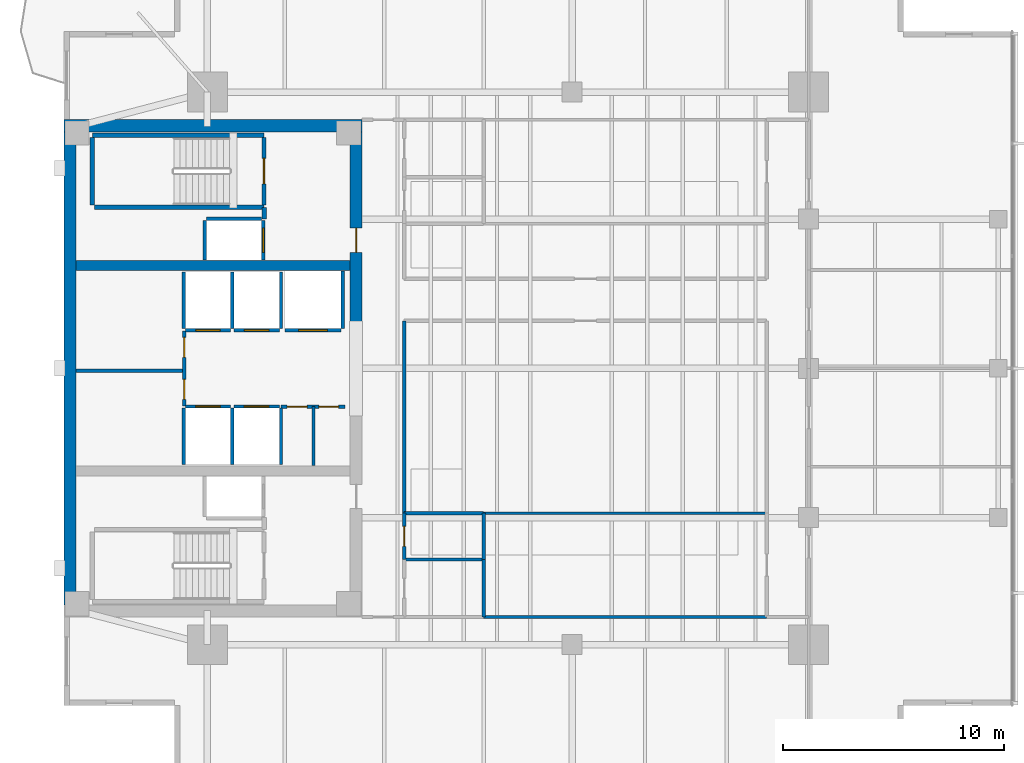
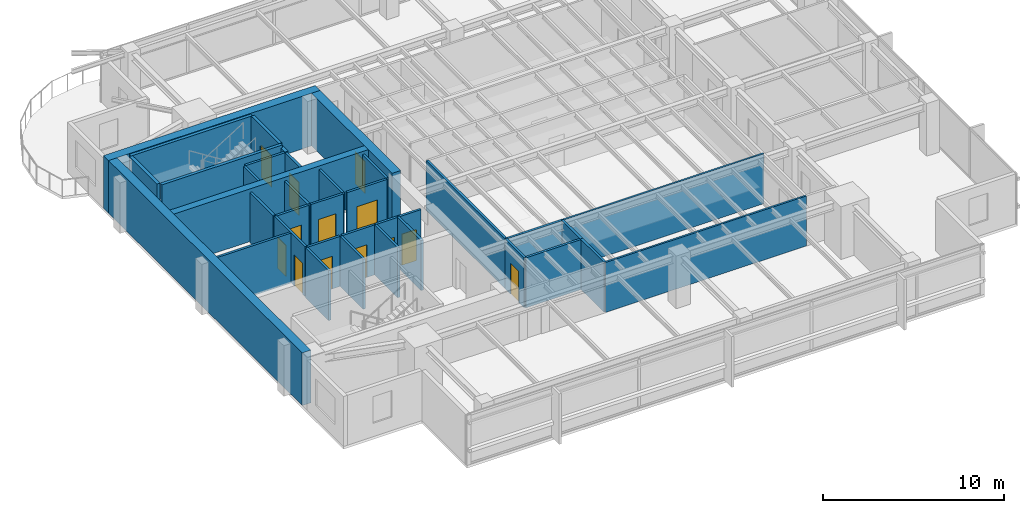
# One storey, part 8 of 14: 36 walls, 13 doors, 13 openings.
"""IFC4 building model written with IfcOpenShell, lengths in metres."""

from ifc_helpers import new_model, si_unit, direction, frame, frame_2d, origin, place, context, subcontext, project, spatial, rectangle, extrude, material, layer, layer_set, type_object, element, fill, save


model = new_model("IFC4")

# Units and contexts
model_context = context("Model", 3, precision=1e-05, world=origin(), true_north=direction((0.0, 1.0)))
body_context = subcontext(model_context, "Body", "Model", "MODEL_VIEW")
ifc_project = project(units=[si_unit("LENGTHUNIT", "METRE"), si_unit("AREAUNIT", "SQUARE_METRE"), si_unit("VOLUMEUNIT", "CUBIC_METRE"), si_unit("PLANEANGLEUNIT", "RADIAN"), si_unit("MASSUNIT", "GRAM", prefix="KILO")], contexts=[model_context])

# Site, building, storey
site_placement = place(None, origin())
site = spatial("IfcSite", under=ifc_project, at=site_placement, CompositionType="ELEMENT")
building_placement = place(site_placement, origin())
building = spatial("IfcBuilding", under=site, at=building_placement, Name="Kinhvarn Gate Tower", CompositionType="ELEMENT")
storey_placement = place(building_placement, frame((0.0, 0.0, 202.25)))
storey = spatial("IfcBuildingStorey", under=building, at=storey_placement, Name="L53", CompositionType="ELEMENT", Elevation=202.25)

# Walls
ifc_material_1 = material(Name="Concrete C50/60", Category="concrete")
ifc_layer_1 = layer(ifc_material_1, 0.449951171875)
ifc_layer_set_1 = layer_set([ifc_layer_1], Name="Concrete C50/60")
wall_type_1 = type_object("IfcWallType", Name="WL-CORE-450", PredefinedType="SHEAR", material=ifc_layer_set_1)
wall_1_placement = place(storey_placement, frame((5.050048828125, 29.89990234375, 0.0), z_axis=(0.0, 0.0, 1.0), x_axis=(1.0, 0.0, 0.0)))
element("IfcWall", 1, at=wall_1_placement, inside=storey, type_object=wall_type_1, Name="Core North Spine Shear Wall L53 450 mm", PredefinedType="SHEAR", context=body_context, shape_type="SweptSolid", body=[
    extrude(rectangle(XDim=12.39990234375, YDim=0.449951171875, at=frame_2d((6.199951171875, 0.0))), origin(), (0.0, 0.0, 1.0), 3.550048828125),
])
ifc_material_2 = material(Name="Concrete C60/75", Category="concrete")
ifc_layer_2 = layer(ifc_material_2, 0.550048828125)
ifc_layer_set_2 = layer_set([ifc_layer_2], Name="Concrete C60/75")
wall_type_2 = type_object("IfcWallType", Name="WL-CORE-550", PredefinedType="SHEAR", material=ifc_layer_set_2)
wall_2_placement = place(storey_placement, frame((4.5, 36.22509765625, 0.0), z_axis=(0.0, 0.0, 1.0), x_axis=(1.0, 0.0, 0.0)))
element("IfcWall", 2, at=wall_2_placement, inside=storey, type_object=wall_type_2, Name="Core North Shear Wall L53 550 mm", PredefinedType="SHEAR", context=body_context, shape_type="SweptSolid", body=[
    extrude(rectangle(XDim=13.5, YDim=0.550048828125, at=frame_2d((6.75, 0.0))), origin(), (0.0, 0.0, 1.0), 3.550048828125),
])

# Wall, opening, door
wall_3_placement = place(storey_placement, frame((17.72509765625, 27.050048828125, 0.0), z_axis=(0.0, 0.0, 1.0), x_axis=(0.0, 1.0, 0.0)))
wall_3 = element("IfcWall", 3, at=wall_3_placement, inside=storey, type_object=wall_type_2, Name="Core East-North Shear Pier L53 550 mm", PredefinedType="SHEAR", context=body_context, shape_type="SweptSolid", body=[
    extrude(rectangle(XDim=8.89990234375, YDim=0.550048828125, at=frame_2d((4.449951171875, 0.0))), origin(), (0.0, 0.0, 1.0), 3.550048828125),
])
opening_1_placement = place(wall_3_placement, frame((3.449951171875, 0.0, 0.0)))
opening_1 = element("IfcOpeningElement", 4, at=opening_1_placement, cuts=wall_3, Name="Opening FD-02", PredefinedType="OPENING", context=body_context, shape_type="SweptSolid", body=[
    extrude(rectangle(XDim=1.10009765625, YDim=2.14990234375, at=frame_2d((0.550048828125, 1.074951171875))), frame((0.0, 0.28515625, 0.0), z_axis=(0.0, -1.0, 0.0), x_axis=(1.0, 0.0, 0.0)), (0.0, 0.0, 1.0), 0.570068359375),
])
ifc_material_3 = material(Name="Anodised aluminium AW-6063", Category="aluminium")
door_type_1 = type_object("IfcDoorType", Name="DR-FD-1100", OperationType="NOTDEFINED", PredefinedType="DOOR", material=ifc_material_3)
door_1_placement = place(opening_1_placement, origin())
door_1 = element("IfcDoor", 5, at=door_1_placement, inside=storey, type_object=door_type_1, Name="Firefighting Lobby Core Door (L53)", OperationType="SINGLE_SWING_LEFT", OverallHeight=2.14990234375, OverallWidth=1.10009765625, PredefinedType="DOOR", context=body_context, shape_type="SweptSolid", body=[
    extrude(rectangle(XDim=1.10009765625, YDim=2.14990234375, at=frame_2d((0.550048828125, 1.074951171875))), frame((0.0, 0.02490234375, 0.0), z_axis=(0.0, -1.0, 0.0), x_axis=(1.0, 0.0, 0.0)), (0.0, 0.0, 1.0), 0.050048828125),
])
fill(opening_1, door_1)

# Walls
ifc_layer_3 = layer(ifc_material_2, 0.550048828125)
ifc_layer_set_3 = layer_set([ifc_layer_3], Name="Concrete C60/75")
wall_type_3 = type_object("IfcWallType", Name="WL-COREX-550", PredefinedType="SHEAR", material=ifc_layer_set_3)
wall_4_placement = place(storey_placement, frame((4.77490234375, 14.550048828125, 0.0), z_axis=(0.0, 0.0, 1.0), x_axis=(0.0, 1.0, 0.0)))
element("IfcWall", 6, at=wall_4_placement, inside=storey, type_object=wall_type_3, Name="Core West Shear Wall L53 550 mm", PredefinedType="SHEAR", context=body_context, shape_type="SweptSolid", body=[
    extrude(rectangle(XDim=21.39990234375, YDim=0.550048828125, at=frame_2d((10.699951171875, 0.0))), origin(), (0.0, 0.0, 1.0), 3.550048828125),
])
ifc_material_4 = material(Name="Gypsum acoustic partition board")
ifc_layer_4 = layer(ifc_material_4, 0.14990234375)
ifc_layer_set_4 = layer_set([ifc_layer_4], Name="Gypsum acoustic partition board")
wall_type_4 = type_object("IfcWallType", Name="WL-PLM-150", PredefinedType="PLUMBINGWALL", material=ifc_layer_set_4)
wall_5_placement = place(storey_placement, frame((19.89990234375, 16.60009765625, 0.0), z_axis=(0.0, 0.0, 1.0), x_axis=(1.0, 0.0, 0.0)))
element("IfcWall", 7, at=wall_5_placement, inside=storey, type_object=wall_type_4, Name="Interior Partition PLW-150 (L53)", PredefinedType="PLUMBINGWALL", context=body_context, shape_type="SweptSolid", body=[
    extrude(rectangle(XDim=3.60009765625, YDim=0.14990234375, at=frame_2d((1.800048828125, 0.0))), origin(), (0.0, 0.0, 1.0), 3.3701171875),
])
wall_6_placement = place(storey_placement, frame((23.5, 14.0, 0.0), z_axis=(0.0, 0.0, 1.0), x_axis=(0.0, 1.0, 0.0)))
element("IfcWall", 8, at=wall_6_placement, inside=storey, type_object=wall_type_4, Name="Interior Partition PLW-150 (L53)", PredefinedType="PLUMBINGWALL", context=body_context, shape_type="SweptSolid", body=[
    extrude(rectangle(XDim=2.60009765625, YDim=0.14990234375, at=frame_2d((1.300048828125, 0.0))), origin(), (0.0, 0.0, 1.0), 3.3701171875),
])
wall_7_placement = place(storey_placement, frame((23.5, 16.60009765625, 0.0), z_axis=(0.0, 0.0, 1.0), x_axis=(0.0, 1.0, 0.0)))
element("IfcWall", 9, at=wall_7_placement, inside=storey, type_object=wall_type_4, Name="Interior Partition PLW-150 (L53)", PredefinedType="PLUMBINGWALL", context=body_context, shape_type="SweptSolid", body=[
    extrude(rectangle(XDim=2.099853515625, YDim=0.14990234375, at=frame_2d((1.0498046875, 0.0))), origin(), (0.0, 0.0, 1.0), 3.3701171875),
])
wall_8_placement = place(storey_placement, frame((19.89990234375, 18.699951171875, 0.0), z_axis=(0.0, 0.0, 1.0), x_axis=(1.0, 0.0, 0.0)))
element("IfcWall", 10, at=wall_8_placement, inside=storey, type_object=wall_type_4, Name="Interior Partition PLW-150 (L53)", PredefinedType="PLUMBINGWALL", context=body_context, shape_type="SweptSolid", body=[
    extrude(rectangle(XDim=3.60009765625, YDim=0.14990234375, at=frame_2d((1.800048828125, 0.0))), origin(), (0.0, 0.0, 1.0), 3.3701171875),
])

# Wall, opening, door
ifc_layer_5 = layer(ifc_material_4, 0.14990234375)
ifc_layer_set_5 = layer_set([ifc_layer_5], Name="Gypsum acoustic partition board")
wall_type_5 = type_object("IfcWallType", Name="WL-PLM-150F", PredefinedType="PLUMBINGWALL", material=ifc_layer_set_5)
wall_9_placement = place(storey_placement, frame((19.89990234375, 16.60009765625, 0.0), z_axis=(0.0, 0.0, 1.0), x_axis=(0.0, 1.0, 0.0)))
wall_9 = element("IfcWall", 11, at=wall_9_placement, inside=storey, type_object=wall_type_5, Name="Interior Partition PLW-150F (L53)", PredefinedType="PLUMBINGWALL", context=body_context, shape_type="SweptSolid", body=[
    extrude(rectangle(XDim=2.099853515625, YDim=0.14990234375, at=frame_2d((1.0498046875, 0.0))), origin(), (0.0, 0.0, 1.0), 3.3701171875),
])
opening_2_placement = place(wall_9_placement, frame((0.60009765625, 0.0, 0.0)))
opening_2 = element("IfcOpeningElement", 12, at=opening_2_placement, cuts=wall_9, Name="Opening FD-04", PredefinedType="OPENING", context=body_context, shape_type="SweptSolid", body=[
    extrude(rectangle(XDim=0.89990234375, YDim=2.10009765625, at=frame_2d((0.449951171875, 1.050048828125))), frame((0.0, 0.0849609375, 0.0), z_axis=(0.0, -1.0, 0.0), x_axis=(1.0, 0.0, 0.0)), (0.0, 0.0, 1.0), 0.169921875),
])
door_type_2 = type_object("IfcDoorType", Name="DR-FD-900", OperationType="NOTDEFINED", PredefinedType="DOOR", material=ifc_material_3)
door_2_placement = place(opening_2_placement, origin())
door_2 = element("IfcDoor", 13, at=door_2_placement, inside=storey, type_object=door_type_2, Name="Rated Riser & Service Closet Fire Door 900x2100 mm (L53)", OperationType="SINGLE_SWING_LEFT", OverallHeight=2.10009765625, OverallWidth=0.89990234375, PredefinedType="DOOR", context=body_context, shape_type="SweptSolid", body=[
    extrude(rectangle(XDim=0.89990234375, YDim=2.10009765625, at=frame_2d((0.449951171875, 1.050048828125))), frame((0.0, 0.02490234375, 0.0), z_axis=(0.0, -1.0, 0.0), x_axis=(1.0, 0.0, 0.0)), (0.0, 0.0, 1.0), 0.050048828125),
])
fill(opening_2, door_2)

# Walls
ifc_layer_6 = layer(ifc_material_4, 0.1201171875)
ifc_layer_set_6 = layer_set([ifc_layer_6], Name="Gypsum acoustic partition board")
wall_type_6 = type_object("IfcWallType", Name="WL-PRT-120", PredefinedType="PARTITIONING", material=ifc_layer_set_6)
for number, where, z_axis, x_axis, name in (
    (14, (23.5, 18.699951171875, 0.0), (0.0, 0.0, 1.0), (1.0, 0.0, 0.0), "Interior Partition PW-120 (L53)"),
    (15, (23.5, 14.0, 0.0), (0.0, 0.0, 1.0), (1.0, 0.0, 0.0), "Interior Partition PW-120 (L53)"),
):
    element("IfcWall", number, at=place(storey_placement, frame(where, z_axis=z_axis, x_axis=x_axis)), inside=storey, type_object=wall_type_6, Name=name, PredefinedType="PARTITIONING", context=body_context, shape_type="SweptSolid", body=[
        extrude(rectangle(XDim=12.800048828125, YDim=0.1201171875, at=frame_2d((6.39990234375, 0.0))), origin(), (0.0, 0.0, 1.0), 3.3701171875),
    ])
ifc_layer_7 = layer(ifc_material_4, 0.14990234375)
ifc_layer_set_7 = layer_set([ifc_layer_7], Name="Gypsum acoustic partition board")
wall_type_7 = type_object("IfcWallType", Name="WL-PRT-150F", PredefinedType="PARTITIONING", material=ifc_layer_set_7)
wall_10_placement = place(storey_placement, frame((5.050048828125, 25.14990234375, 0.0), z_axis=(0.0, 0.0, 1.0), x_axis=(1.0, 0.0, 0.0)))
element("IfcWall", 16, at=wall_10_placement, inside=storey, type_object=wall_type_7, Name="Interior Partition PW-150F (L53)", PredefinedType="PARTITIONING", context=body_context, shape_type="SweptSolid", body=[
    extrude(rectangle(XDim=4.89990234375, YDim=0.14990234375, at=frame_2d((2.449951171875, 0.0))), origin(), (0.0, 0.0, 1.0), 3.3701171875),
])

# Wall, openings, doors
wall_11_placement = place(storey_placement, frame((9.949951171875, 23.550048828125, 0.0), z_axis=(0.0, 0.0, 1.0), x_axis=(0.0, 1.0, 0.0)))
wall_11 = element("IfcWall", 17, at=wall_11_placement, inside=storey, type_object=wall_type_7, Name="Interior Partition PW-150F (L53)", PredefinedType="PARTITIONING", context=body_context, shape_type="SweptSolid", body=[
    extrude(rectangle(XDim=3.39990234375, YDim=0.14990234375, at=frame_2d((1.699951171875, 0.0))), origin(), (0.0, 0.0, 1.0), 3.3701171875),
])
opening_3_placement = place(wall_11_placement, frame((0.298095703125, 0.0, 0.0)))
opening_3 = element("IfcOpeningElement", 18, at=opening_3_placement, cuts=wall_11, Name="Opening FD-04", PredefinedType="OPENING", context=body_context, shape_type="SweptSolid", body=[
    extrude(rectangle(XDim=0.89990234375, YDim=2.10009765625, at=frame_2d((0.449951171875, 1.050048828125))), frame((0.0, 0.0849609375, 0.0), z_axis=(0.0, -1.0, 0.0), x_axis=(1.0, 0.0, 0.0)), (0.0, 0.0, 1.0), 0.169921875),
])
opening_4_placement = place(wall_11_placement, frame((2.201904296875, 0.0, 0.0)))
opening_4 = element("IfcOpeningElement", 19, at=opening_4_placement, cuts=wall_11, Name="Opening FD-04", PredefinedType="OPENING", context=body_context, shape_type="SweptSolid", body=[
    extrude(rectangle(XDim=0.89990234375, YDim=2.10009765625, at=frame_2d((0.449951171875, 1.050048828125))), frame((0.0, 0.0849609375, 0.0), z_axis=(0.0, -1.0, 0.0), x_axis=(1.0, 0.0, 0.0)), (0.0, 0.0, 1.0), 0.169921875),
])
door_3_placement = place(opening_3_placement, origin())
door_3 = element("IfcDoor", 20, at=door_3_placement, inside=storey, type_object=door_type_2, Name="Rated Riser & Service Closet Fire Door 900x2100 mm (L53)", OperationType="SINGLE_SWING_LEFT", OverallHeight=2.10009765625, OverallWidth=0.89990234375, PredefinedType="DOOR", context=body_context, shape_type="SweptSolid", body=[
    extrude(rectangle(XDim=0.89990234375, YDim=2.10009765625, at=frame_2d((0.449951171875, 1.050048828125))), frame((0.0, 0.02490234375, 0.0), z_axis=(0.0, -1.0, 0.0), x_axis=(1.0, 0.0, 0.0)), (0.0, 0.0, 1.0), 0.050048828125),
])
fill(opening_3, door_3)
door_4_placement = place(opening_4_placement, origin())
door_4 = element("IfcDoor", 21, at=door_4_placement, inside=storey, type_object=door_type_2, Name="Rated Riser & Service Closet Fire Door 900x2100 mm (L53)", OperationType="SINGLE_SWING_RIGHT", OverallHeight=2.10009765625, OverallWidth=0.89990234375, PredefinedType="DOOR", context=body_context, shape_type="SweptSolid", body=[
    extrude(rectangle(XDim=0.89990234375, YDim=2.10009765625, at=frame_2d((0.449951171875, 1.050048828125))), frame((0.0, 0.02490234375, 0.0), z_axis=(0.0, -1.0, 0.0), x_axis=(1.0, 0.0, 0.0)), (0.0, 0.0, 1.0), 0.050048828125),
])
fill(opening_4, door_4)

# Wall
wall_12_placement = place(storey_placement, frame((15.800048828125, 20.85009765625, 0.0), z_axis=(0.0, 0.0, 1.0), x_axis=(0.0, 1.0, 0.0)))
element("IfcWall", 22, at=wall_12_placement, inside=storey, type_object=wall_type_7, Name="Interior Partition PW-150F (L53)", PredefinedType="PARTITIONING", context=body_context, shape_type="SweptSolid", body=[
    extrude(rectangle(XDim=2.669921875, YDim=0.14990234375, at=frame_2d((1.3349609375, 0.0))), origin(), (0.0, 0.0, 1.0), 3.3701171875),
])

# Wall, openings, doors
wall_13_placement = place(storey_placement, frame((14.330078125, 23.52001953125, 0.0), z_axis=(0.0, 0.0, 1.0), x_axis=(1.0, 0.0, 0.0)))
wall_13 = element("IfcWall", 23, at=wall_13_placement, inside=storey, type_object=wall_type_7, Name="Interior Partition PW-150F (L53)", PredefinedType="PARTITIONING", context=body_context, shape_type="SweptSolid", body=[
    extrude(rectangle(XDim=2.889892578125, YDim=0.14990234375, at=frame_2d((1.44482421875, 0.0))), origin(), (0.0, 0.0, 1.0), 3.3701171875),
])
opening_5_placement = place(wall_13_placement, frame((0.280029296875, 0.0, 0.0)))
opening_5 = element("IfcOpeningElement", 24, at=opening_5_placement, cuts=wall_13, Name="Opening FD-04", PredefinedType="OPENING", context=body_context, shape_type="SweptSolid", body=[
    extrude(rectangle(XDim=0.89990234375, YDim=2.10009765625, at=frame_2d((0.449951171875, 1.050048828125))), frame((0.0, 0.0849609375, 0.0), z_axis=(0.0, -1.0, 0.0), x_axis=(1.0, 0.0, 0.0)), (0.0, 0.0, 1.0), 0.169921875),
])
opening_6_placement = place(wall_13_placement, frame((1.7099609375, 0.0, 0.0)))
opening_6 = element("IfcOpeningElement", 25, at=opening_6_placement, cuts=wall_13, Name="Opening FD-04", PredefinedType="OPENING", context=body_context, shape_type="SweptSolid", body=[
    extrude(rectangle(XDim=0.89990234375, YDim=2.10009765625, at=frame_2d((0.449951171875, 1.050048828125))), frame((0.0, 0.0849609375, 0.0), z_axis=(0.0, -1.0, 0.0), x_axis=(1.0, 0.0, 0.0)), (0.0, 0.0, 1.0), 0.169921875),
])
door_5_placement = place(opening_5_placement, origin())
door_5 = element("IfcDoor", 26, at=door_5_placement, inside=storey, type_object=door_type_2, Name="Rated Riser & Service Closet Fire Door 900x2100 mm (L53)", OperationType="SINGLE_SWING_LEFT", OverallHeight=2.10009765625, OverallWidth=0.89990234375, PredefinedType="DOOR", context=body_context, shape_type="SweptSolid", body=[
    extrude(rectangle(XDim=0.89990234375, YDim=2.10009765625, at=frame_2d((0.449951171875, 1.050048828125))), frame((0.0, 0.02490234375, 0.0), z_axis=(0.0, -1.0, 0.0), x_axis=(1.0, 0.0, 0.0)), (0.0, 0.0, 1.0), 0.050048828125),
])
fill(opening_5, door_5)
door_6_placement = place(opening_6_placement, origin())
door_6 = element("IfcDoor", 27, at=door_6_placement, inside=storey, type_object=door_type_2, Name="Rated Riser & Service Closet Fire Door 900x2100 mm (L53)", OperationType="SINGLE_SWING_RIGHT", OverallHeight=2.10009765625, OverallWidth=0.89990234375, PredefinedType="DOOR", context=body_context, shape_type="SweptSolid", body=[
    extrude(rectangle(XDim=0.89990234375, YDim=2.10009765625, at=frame_2d((0.449951171875, 1.050048828125))), frame((0.0, 0.02490234375, 0.0), z_axis=(0.0, -1.0, 0.0), x_axis=(1.0, 0.0, 0.0)), (0.0, 0.0, 1.0), 0.050048828125),
])
fill(opening_6, door_6)

# Walls
wall_14_placement = place(storey_placement, frame((19.89990234375, 18.699951171875, 0.0), z_axis=(0.0, 0.0, 1.0), x_axis=(0.0, 1.0, 0.0)))
element("IfcWall", 28, at=wall_14_placement, inside=storey, type_object=wall_type_7, Name="Interior Partition PW-150F (L53)", PredefinedType="PARTITIONING", context=body_context, shape_type="SweptSolid", body=[
    extrude(rectangle(XDim=8.699951171875, YDim=0.14990234375, at=frame_2d((4.35009765625, 0.0))), origin(), (0.0, 0.0, 1.0), 3.3701171875),
])
ifc_layer_8 = layer(ifc_material_4, 0.199951171875)
ifc_layer_set_8 = layer_set([ifc_layer_8], Name="Gypsum acoustic partition board")
wall_type_8 = type_object("IfcWallType", Name="WL-PRT-200", PredefinedType="PARTITIONING", material=ifc_layer_set_8)
wall_15_placement = place(storey_placement, frame((13.580078125, 32.0, 0.0), z_axis=(0.0, 0.0, 1.0), x_axis=(0.0, 1.0, 0.0)))
element("IfcWall", 29, at=wall_15_placement, inside=storey, type_object=wall_type_8, Name="Interior Partition PW-200 (L53)", PredefinedType="PARTITIONING", context=body_context, shape_type="SweptSolid", body=[
    extrude(rectangle(XDim=0.5400390625, YDim=0.199951171875, at=frame_2d((0.27001953125, 0.0))), origin(), (0.0, 0.0, 1.0), 3.3701171875),
])

# Wall, opening, door
ifc_layer_9 = layer(ifc_material_4, 0.14990234375)
ifc_layer_set_9 = layer_set([ifc_layer_9], Name="Gypsum acoustic partition board")
wall_type_9 = type_object("IfcWallType", Name="WL-SHF-150", PredefinedType="PARTITIONING", material=ifc_layer_set_9)
wall_16_placement = place(storey_placement, frame((10.0, 23.52490234375, 0.0), z_axis=(0.0, 0.0, 1.0), x_axis=(1.0, 0.0, 0.0)))
wall_16 = element("IfcWall", 30, at=wall_16_placement, inside=storey, type_object=wall_type_9, Name="Elevator PH-09 Landing Wall (L53)", PredefinedType="PARTITIONING", context=body_context, shape_type="SweptSolid", body=[
    extrude(rectangle(XDim=2.050048828125, YDim=0.14990234375, at=frame_2d((1.02490234375, 0.0))), origin(), (0.0, 0.0, 1.0), 3.3701171875),
])
opening_7_placement = place(wall_16_placement, frame((0.47509765625, 0.0, 0.0)))
opening_7 = element("IfcOpeningElement", 31, at=opening_7_placement, cuts=wall_16, Name="Opening LD-01", PredefinedType="OPENING", context=body_context, shape_type="SweptSolid", body=[
    extrude(rectangle(XDim=1.10009765625, YDim=2.199951171875, at=frame_2d((0.550048828125, 1.10009765625))), frame((0.0, 0.0849609375, 0.0), z_axis=(0.0, -1.0, 0.0), x_axis=(1.0, 0.0, 0.0)), (0.0, 0.0, 1.0), 0.169921875),
])
door_type_3 = type_object("IfcDoorType", Name="DR-LND-PAS", OperationType="NOTDEFINED", PredefinedType="DOOR", material=ifc_material_3)
door_7_placement = place(opening_7_placement, origin())
door_7 = element("IfcDoor", 32, at=door_7_placement, inside=storey, type_object=door_type_3, Name="Elevator PH-09 Sliding Landing Door (L53)", OperationType="DOUBLE_DOOR_SLIDING", OverallHeight=2.199951171875, OverallWidth=1.10009765625, PredefinedType="DOOR", context=body_context, shape_type="SweptSolid", body=[
    extrude(rectangle(XDim=1.10009765625, YDim=2.199951171875, at=frame_2d((0.550048828125, 1.10009765625))), frame((0.0, 0.02490234375, 0.0), z_axis=(0.0, -1.0, 0.0), x_axis=(1.0, 0.0, 0.0)), (0.0, 0.0, 1.0), 0.050048828125),
])
fill(opening_7, door_7)

# Walls
for number, where, z_axis, x_axis, name in (
    (33, (9.925048828125, 20.89990234375, 0.0), (0.0, 0.0, 1.0), (0.0, 1.0, 0.0), "Elevator PH-09 Hoistway Wall W (L53)"),
    (34, (12.125, 20.89990234375, 0.0), (0.0, 0.0, 1.0), (0.0, 1.0, 0.0), "Elevator PH-09 Hoistway Wall E (L53)"),
):
    element("IfcWall", number, at=place(storey_placement, frame(where, z_axis=z_axis, x_axis=x_axis)), inside=storey, type_object=wall_type_9, Name=name, PredefinedType="PARTITIONING", context=body_context, shape_type="SweptSolid", body=[
        extrude(rectangle(XDim=2.550048828125, YDim=0.14990234375, at=frame_2d((1.27490234375, 0.0))), origin(), (0.0, 0.0, 1.0), 3.3701171875),
    ])

# Wall, opening, door
wall_17_placement = place(storey_placement, frame((12.199951171875, 23.52490234375, 0.0), z_axis=(0.0, 0.0, 1.0), x_axis=(1.0, 0.0, 0.0)))
wall_17 = element("IfcWall", 35, at=wall_17_placement, inside=storey, type_object=wall_type_9, Name="Elevator PH-10 Landing Wall (L53)", PredefinedType="PARTITIONING", context=body_context, shape_type="SweptSolid", body=[
    extrude(rectangle(XDim=2.050048828125, YDim=0.14990234375, at=frame_2d((1.02490234375, 0.0))), origin(), (0.0, 0.0, 1.0), 3.3701171875),
])
opening_8_placement = place(wall_17_placement, frame((0.47509765625, 0.0, 0.0)))
opening_8 = element("IfcOpeningElement", 36, at=opening_8_placement, cuts=wall_17, Name="Opening LD-01", PredefinedType="OPENING", context=body_context, shape_type="SweptSolid", body=[
    extrude(rectangle(XDim=1.10009765625, YDim=2.199951171875, at=frame_2d((0.550048828125, 1.10009765625))), frame((0.0, 0.0849609375, 0.0), z_axis=(0.0, -1.0, 0.0), x_axis=(1.0, 0.0, 0.0)), (0.0, 0.0, 1.0), 0.169921875),
])
door_8_placement = place(opening_8_placement, origin())
door_8 = element("IfcDoor", 37, at=door_8_placement, inside=storey, type_object=door_type_3, Name="Elevator PH-10 Sliding Landing Door (L53)", OperationType="DOUBLE_DOOR_SLIDING", OverallHeight=2.199951171875, OverallWidth=1.10009765625, PredefinedType="DOOR", context=body_context, shape_type="SweptSolid", body=[
    extrude(rectangle(XDim=1.10009765625, YDim=2.199951171875, at=frame_2d((0.550048828125, 1.10009765625))), frame((0.0, 0.02490234375, 0.0), z_axis=(0.0, -1.0, 0.0), x_axis=(1.0, 0.0, 0.0)), (0.0, 0.0, 1.0), 0.050048828125),
])
fill(opening_8, door_8)

# Wall
wall_18_placement = place(storey_placement, frame((14.324951171875, 20.89990234375, 0.0), z_axis=(0.0, 0.0, 1.0), x_axis=(0.0, 1.0, 0.0)))
element("IfcWall", 38, at=wall_18_placement, inside=storey, type_object=wall_type_9, Name="Elevator PH-10 Hoistway Wall E (L53)", PredefinedType="PARTITIONING", context=body_context, shape_type="SweptSolid", body=[
    extrude(rectangle(XDim=2.550048828125, YDim=0.14990234375, at=frame_2d((1.27490234375, 0.0))), origin(), (0.0, 0.0, 1.0), 3.3701171875),
])

# Wall, opening, door
wall_19_placement = place(storey_placement, frame((10.0, 26.97509765625, 0.0), z_axis=(0.0, 0.0, 1.0), x_axis=(1.0, 0.0, 0.0)))
wall_19 = element("IfcWall", 39, at=wall_19_placement, inside=storey, type_object=wall_type_9, Name="Elevator PH-11 Landing Wall (L53)", PredefinedType="PARTITIONING", context=body_context, shape_type="SweptSolid", body=[
    extrude(rectangle(XDim=2.050048828125, YDim=0.14990234375, at=frame_2d((1.02490234375, 0.0))), origin(), (0.0, 0.0, 1.0), 3.3701171875),
])
opening_9_placement = place(wall_19_placement, frame((0.47509765625, 0.0, 0.0)))
opening_9 = element("IfcOpeningElement", 40, at=opening_9_placement, cuts=wall_19, Name="Opening LD-01", PredefinedType="OPENING", context=body_context, shape_type="SweptSolid", body=[
    extrude(rectangle(XDim=1.10009765625, YDim=2.199951171875, at=frame_2d((0.550048828125, 1.10009765625))), frame((0.0, 0.0849609375, 0.0), z_axis=(0.0, -1.0, 0.0), x_axis=(1.0, 0.0, 0.0)), (0.0, 0.0, 1.0), 0.169921875),
])
door_9_placement = place(opening_9_placement, origin())
door_9 = element("IfcDoor", 41, at=door_9_placement, inside=storey, type_object=door_type_3, Name="Elevator PH-11 Sliding Landing Door (L53)", OperationType="DOUBLE_DOOR_SLIDING", OverallHeight=2.199951171875, OverallWidth=1.10009765625, PredefinedType="DOOR", context=body_context, shape_type="SweptSolid", body=[
    extrude(rectangle(XDim=1.10009765625, YDim=2.199951171875, at=frame_2d((0.550048828125, 1.10009765625))), frame((0.0, 0.02490234375, 0.0), z_axis=(0.0, -1.0, 0.0), x_axis=(1.0, 0.0, 0.0)), (0.0, 0.0, 1.0), 0.050048828125),
])
fill(opening_9, door_9)

# Walls
for number, where, z_axis, x_axis, name in (
    (42, (9.925048828125, 27.050048828125, 0.0), (0.0, 0.0, 1.0), (0.0, 1.0, 0.0), "Elevator PH-11 Hoistway Wall W (L53)"),
    (43, (12.125, 27.050048828125, 0.0), (0.0, 0.0, 1.0), (0.0, 1.0, 0.0), "Elevator PH-11 Hoistway Wall E (L53)"),
):
    element("IfcWall", number, at=place(storey_placement, frame(where, z_axis=z_axis, x_axis=x_axis)), inside=storey, type_object=wall_type_9, Name=name, PredefinedType="PARTITIONING", context=body_context, shape_type="SweptSolid", body=[
        extrude(rectangle(XDim=2.550048828125, YDim=0.14990234375, at=frame_2d((1.27490234375, 0.0))), origin(), (0.0, 0.0, 1.0), 3.3701171875),
    ])

# Wall, opening, door
wall_20_placement = place(storey_placement, frame((12.199951171875, 26.97509765625, 0.0), z_axis=(0.0, 0.0, 1.0), x_axis=(1.0, 0.0, 0.0)))
wall_20 = element("IfcWall", 44, at=wall_20_placement, inside=storey, type_object=wall_type_9, Name="Elevator PH-12 Landing Wall (L53)", PredefinedType="PARTITIONING", context=body_context, shape_type="SweptSolid", body=[
    extrude(rectangle(XDim=2.050048828125, YDim=0.14990234375, at=frame_2d((1.02490234375, 0.0))), origin(), (0.0, 0.0, 1.0), 3.3701171875),
])
opening_10_placement = place(wall_20_placement, frame((0.47509765625, 0.0, 0.0)))
opening_10 = element("IfcOpeningElement", 45, at=opening_10_placement, cuts=wall_20, Name="Opening LD-01", PredefinedType="OPENING", context=body_context, shape_type="SweptSolid", body=[
    extrude(rectangle(XDim=1.10009765625, YDim=2.199951171875, at=frame_2d((0.550048828125, 1.10009765625))), frame((0.0, 0.0849609375, 0.0), z_axis=(0.0, -1.0, 0.0), x_axis=(1.0, 0.0, 0.0)), (0.0, 0.0, 1.0), 0.169921875),
])
door_10_placement = place(opening_10_placement, origin())
door_10 = element("IfcDoor", 46, at=door_10_placement, inside=storey, type_object=door_type_3, Name="Elevator PH-12 Sliding Landing Door (L53)", OperationType="DOUBLE_DOOR_SLIDING", OverallHeight=2.199951171875, OverallWidth=1.10009765625, PredefinedType="DOOR", context=body_context, shape_type="SweptSolid", body=[
    extrude(rectangle(XDim=1.10009765625, YDim=2.199951171875, at=frame_2d((0.550048828125, 1.10009765625))), frame((0.0, 0.02490234375, 0.0), z_axis=(0.0, -1.0, 0.0), x_axis=(1.0, 0.0, 0.0)), (0.0, 0.0, 1.0), 0.050048828125),
])
fill(opening_10, door_10)

# Wall
wall_21_placement = place(storey_placement, frame((14.324951171875, 27.050048828125, 0.0), z_axis=(0.0, 0.0, 1.0), x_axis=(0.0, 1.0, 0.0)))
element("IfcWall", 47, at=wall_21_placement, inside=storey, type_object=wall_type_9, Name="Elevator PH-12 Hoistway Wall E (L53)", PredefinedType="PARTITIONING", context=body_context, shape_type="SweptSolid", body=[
    extrude(rectangle(XDim=2.550048828125, YDim=0.14990234375, at=frame_2d((1.27490234375, 0.0))), origin(), (0.0, 0.0, 1.0), 3.3701171875),
])

# Wall, opening, door
wall_22_placement = place(storey_placement, frame((14.5, 26.97509765625, 0.0), z_axis=(0.0, 0.0, 1.0), x_axis=(1.0, 0.0, 0.0)))
wall_22 = element("IfcWall", 48, at=wall_22_placement, inside=storey, type_object=wall_type_9, Name="Elevator SV-01 Landing Wall (L53)", PredefinedType="PARTITIONING", context=body_context, shape_type="SweptSolid", body=[
    extrude(rectangle(XDim=2.550048828125, YDim=0.14990234375, at=frame_2d((1.27490234375, 0.0))), origin(), (0.0, 0.0, 1.0), 3.3701171875),
])
opening_11_placement = place(wall_22_placement, frame((0.625, 0.0, 0.0)))
opening_11 = element("IfcOpeningElement", 49, at=opening_11_placement, cuts=wall_22, Name="Opening LD-02", PredefinedType="OPENING", context=body_context, shape_type="SweptSolid", body=[
    extrude(rectangle(XDim=1.300048828125, YDim=2.199951171875, at=frame_2d((0.64990234375, 1.10009765625))), frame((0.0, 0.0849609375, 0.0), z_axis=(0.0, -1.0, 0.0), x_axis=(1.0, 0.0, 0.0)), (0.0, 0.0, 1.0), 0.169921875),
])
door_type_4 = type_object("IfcDoorType", Name="DR-LND-SRV", OperationType="NOTDEFINED", PredefinedType="DOOR", material=ifc_material_3)
door_11_placement = place(opening_11_placement, origin())
door_11 = element("IfcDoor", 50, at=door_11_placement, inside=storey, type_object=door_type_4, Name="Elevator SV-01 Sliding Landing Door (L53)", OperationType="DOUBLE_DOOR_SLIDING", OverallHeight=2.199951171875, OverallWidth=1.300048828125, PredefinedType="DOOR", context=body_context, shape_type="SweptSolid", body=[
    extrude(rectangle(XDim=1.300048828125, YDim=2.199951171875, at=frame_2d((0.64990234375, 1.10009765625))), frame((0.0, 0.02490234375, 0.0), z_axis=(0.0, -1.0, 0.0), x_axis=(1.0, 0.0, 0.0)), (0.0, 0.0, 1.0), 0.050048828125),
])
fill(opening_11, door_11)

# Walls
wall_23_placement = place(storey_placement, frame((17.125, 27.050048828125, 0.0), z_axis=(0.0, 0.0, 1.0), x_axis=(0.0, 1.0, 0.0)))
element("IfcWall", 51, at=wall_23_placement, inside=storey, type_object=wall_type_9, Name="Elevator SV-01 Hoistway Wall E (L53)", PredefinedType="PARTITIONING", context=body_context, shape_type="SweptSolid", body=[
    extrude(rectangle(XDim=2.599853515625, YDim=0.14990234375, at=frame_2d((1.2998046875, 0.0))), origin(), (0.0, 0.0, 1.0), 3.3701171875),
])
wall_24_placement = place(storey_placement, frame((10.949951171875, 32.02490234375, 0.0), z_axis=(0.0, 0.0, 1.0), x_axis=(1.0, 0.0, 0.0)))
element("IfcWall", 52, at=wall_24_placement, inside=storey, type_object=wall_type_9, Name="Elevator FF2 Hoistway Wall N (L53)", PredefinedType="PARTITIONING", context=body_context, shape_type="SweptSolid", body=[
    extrude(rectangle(XDim=2.5, YDim=0.14990234375, at=frame_2d((1.25, 0.0))), origin(), (0.0, 0.0, 1.0), 3.3701171875),
])
wall_25_placement = place(storey_placement, frame((10.875, 30.14990234375, 0.0), z_axis=(0.0, 0.0, 1.0), x_axis=(0.0, 1.0, 0.0)))
element("IfcWall", 53, at=wall_25_placement, inside=storey, type_object=wall_type_9, Name="Elevator FF2 Hoistway Wall W (L53)", PredefinedType="PARTITIONING", context=body_context, shape_type="SweptSolid", body=[
    extrude(rectangle(XDim=1.800048828125, YDim=0.14990234375, at=frame_2d((0.89990234375, 0.0))), origin(), (0.0, 0.0, 1.0), 3.3701171875),
])

# Wall, opening, door
wall_26_placement = place(storey_placement, frame((13.52490234375, 30.14990234375, 0.0), z_axis=(0.0, 0.0, 1.0), x_axis=(0.0, 1.0, 0.0)))
wall_26 = element("IfcWall", 54, at=wall_26_placement, inside=storey, type_object=wall_type_9, Name="Elevator FF2 Landing Wall (L53)", PredefinedType="PARTITIONING", context=body_context, shape_type="SweptSolid", body=[
    extrude(rectangle(XDim=1.800048828125, YDim=0.14990234375, at=frame_2d((0.89990234375, 0.0))), origin(), (0.0, 0.0, 1.0), 3.3701171875),
])
opening_12_placement = place(wall_26_placement, frame((0.35009765625, 0.0, 0.0)))
opening_12 = element("IfcOpeningElement", 55, at=opening_12_placement, cuts=wall_26, Name="Opening LD-03", PredefinedType="OPENING", context=body_context, shape_type="SweptSolid", body=[
    extrude(rectangle(XDim=1.10009765625, YDim=2.199951171875, at=frame_2d((0.550048828125, 1.10009765625))), frame((0.0, 0.0849609375, 0.0), z_axis=(0.0, -1.0, 0.0), x_axis=(1.0, 0.0, 0.0)), (0.0, 0.0, 1.0), 0.169921875),
])
door_type_5 = type_object("IfcDoorType", Name="DR-LND-FF", OperationType="NOTDEFINED", PredefinedType="DOOR", material=ifc_material_3)
door_12_placement = place(opening_12_placement, origin())
door_12 = element("IfcDoor", 56, at=door_12_placement, inside=storey, type_object=door_type_5, Name="Elevator FF2 Sliding Landing Door (L53)", OperationType="DOUBLE_DOOR_SLIDING", OverallHeight=2.199951171875, OverallWidth=1.10009765625, PredefinedType="DOOR", context=body_context, shape_type="SweptSolid", body=[
    extrude(rectangle(XDim=1.10009765625, YDim=2.199951171875, at=frame_2d((0.550048828125, 1.10009765625))), frame((0.0, 0.02490234375, 0.0), z_axis=(0.0, -1.0, 0.0), x_axis=(1.0, 0.0, 0.0)), (0.0, 0.0, 1.0), 0.050048828125),
])
fill(opening_12, door_12)

# Walls
ifc_material_5 = material(Name="Concrete C40/50", Category="concrete")
ifc_layer_10 = layer(ifc_material_5, 0.199951171875)
ifc_layer_set_10 = layer_set([ifc_layer_10], Name="Concrete C40/50")
wall_type_10 = type_object("IfcWallType", Name="WL-SHF-200", PredefinedType="SOLIDWALL", material=ifc_layer_set_10)
wall_27_placement = place(storey_placement, frame((5.800048828125, 35.800048828125, 0.0), z_axis=(0.0, 0.0, 1.0), x_axis=(1.0, 0.0, 0.0)))
element("IfcWall", 57, at=wall_27_placement, inside=storey, type_object=wall_type_10, Name="Stair ST2 North Shaft Wall (L53)", PredefinedType="SOLIDWALL", context=body_context, shape_type="SweptSolid", body=[
    extrude(rectangle(XDim=7.75, YDim=0.199951171875, at=frame_2d((3.875, 0.0))), origin(), (0.0, 0.0, 1.0), 3.550048828125),
])
wall_28_placement = place(storey_placement, frame((5.7900390625, 32.64990234375, 0.0), z_axis=(0.0, 0.0, 1.0), x_axis=(0.0, 1.0, 0.0)))
element("IfcWall", 58, at=wall_28_placement, inside=storey, type_object=wall_type_10, Name="Stair ST2 West Shaft Wall (L53)", PredefinedType="SOLIDWALL", context=body_context, shape_type="SweptSolid", body=[
    extrude(rectangle(XDim=3.050048828125, YDim=0.199951171875, at=frame_2d((1.52490234375, 0.0))), origin(), (0.0, 0.0, 1.0), 3.550048828125),
])
wall_29_placement = place(storey_placement, frame((5.89990234375, 32.5400390625, 0.0), z_axis=(0.0, 0.0, 1.0), x_axis=(1.0, 0.0, 0.0)))
element("IfcWall", 59, at=wall_29_placement, inside=storey, type_object=wall_type_10, Name="Stair ST2 South Shaft Wall (L53)", PredefinedType="SOLIDWALL", context=body_context, shape_type="SweptSolid", body=[
    extrude(rectangle(XDim=7.66015625, YDim=0.199951171875, at=frame_2d((3.830078125, 0.0))), origin(), (0.0, 0.0, 1.0), 3.550048828125),
])

# Wall, opening, door
wall_30_placement = place(storey_placement, frame((13.56005859375, 32.64990234375, 0.0), z_axis=(0.0, 0.0, 1.0), x_axis=(0.0, 1.0, 0.0)))
wall_30 = element("IfcWall", 60, at=wall_30_placement, inside=storey, type_object=wall_type_10, Name="Stair ST2 East Entry Wall (L53)", PredefinedType="SOLIDWALL", context=body_context, shape_type="SweptSolid", body=[
    extrude(rectangle(XDim=3.050048828125, YDim=0.199951171875, at=frame_2d((1.52490234375, 0.0))), origin(), (0.0, 0.0, 1.0), 3.550048828125),
])
opening_13_placement = place(wall_30_placement, frame((0.949951171875, 0.0, 0.0)))
opening_13 = element("IfcOpeningElement", 61, at=opening_13_placement, cuts=wall_30, Name="Opening FD-01", PredefinedType="OPENING", context=body_context, shape_type="SweptSolid", body=[
    extrude(rectangle(XDim=1.14990234375, YDim=2.14990234375, at=frame_2d((0.574951171875, 1.074951171875))), frame((0.0, 0.10986328125, 0.0), z_axis=(0.0, -1.0, 0.0), x_axis=(1.0, 0.0, 0.0)), (0.0, 0.0, 1.0), 0.219970703125),
])
door_type_6 = type_object("IfcDoorType", Name="DR-ST-1150", OperationType="NOTDEFINED", PredefinedType="DOOR", material=ifc_material_3)
door_13_placement = place(opening_13_placement, origin())
door_13 = element("IfcDoor", 62, at=door_13_placement, inside=storey, type_object=door_type_6, Name="Exit Stair ST2 Fire Door (L53)", OperationType="SINGLE_SWING_RIGHT", OverallHeight=2.14990234375, OverallWidth=1.14990234375, PredefinedType="DOOR", context=body_context, shape_type="SweptSolid", body=[
    extrude(rectangle(XDim=1.14990234375, YDim=2.14990234375, at=frame_2d((0.574951171875, 1.074951171875))), frame((0.0, 0.02490234375, 0.0), z_axis=(0.0, -1.0, 0.0), x_axis=(1.0, 0.0, 0.0)), (0.0, 0.0, 1.0), 0.050048828125),
])
fill(opening_13, door_13)

save(model, "model.ifc")
